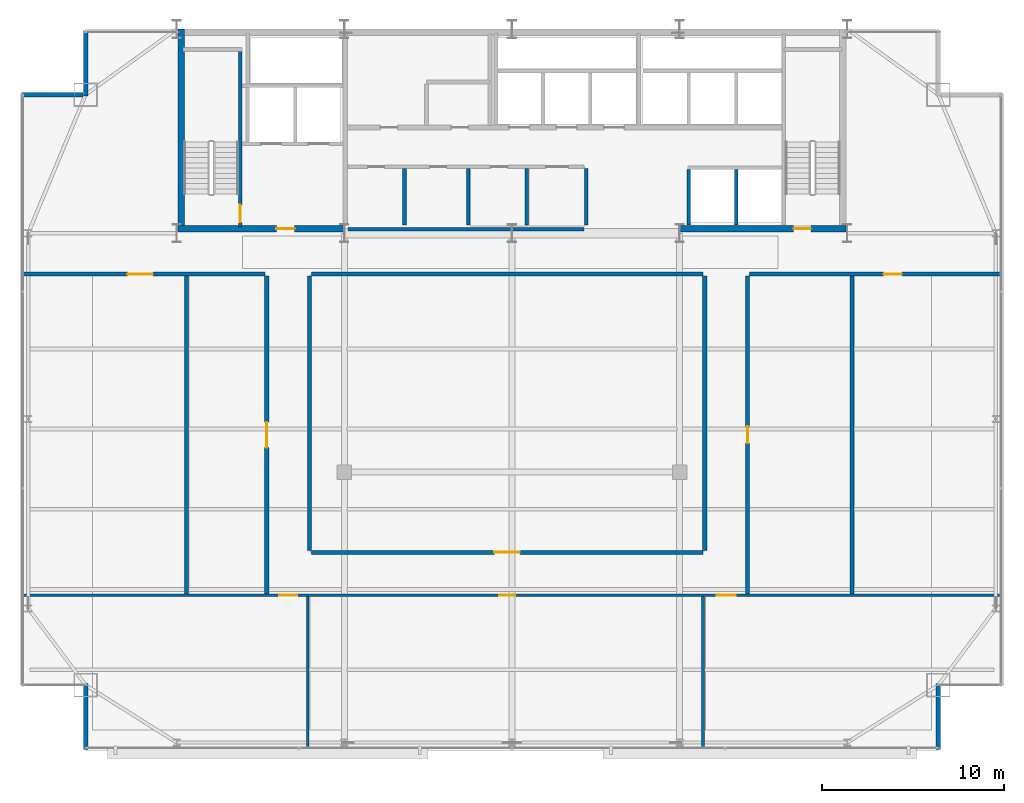
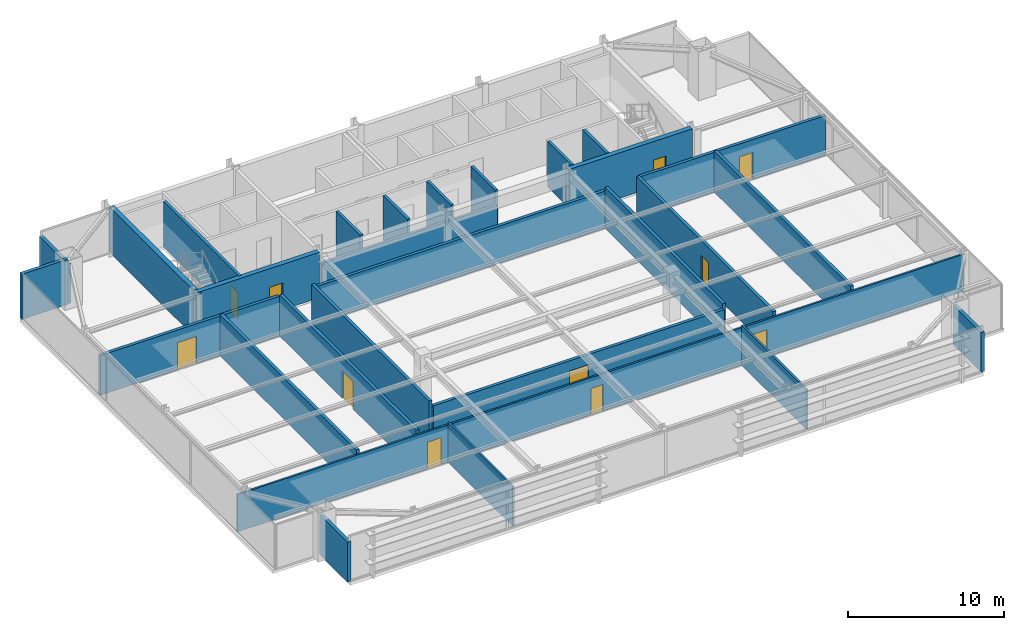
# One storey, part 25 of 29: 28 walls, 11 doors, 11 openings.
"""IFC4 building model written with IfcOpenShell, lengths in metres."""

from ifc_helpers import new_model, si_unit, direction, frame, frame_2d, origin, place, context, subcontext, project, spatial, rectangle, extrude, source, transform, mapped, material, layer, layer_set, type_object, type_shapes, element, fill, save


model = new_model("IFC4")

# Units and contexts
model_context = context("Model", 3, precision=1e-05, world=origin(), true_north=direction((0.0, 1.0)))
body_context = subcontext(model_context, "Body", "Model", "MODEL_VIEW")
ifc_project = project(units=[si_unit("LENGTHUNIT", "METRE"), si_unit("AREAUNIT", "SQUARE_METRE"), si_unit("VOLUMEUNIT", "CUBIC_METRE"), si_unit("PLANEANGLEUNIT", "RADIAN"), si_unit("MASSUNIT", "GRAM", prefix="KILO")], contexts=[model_context])

# Site, building, storey
site_placement = place(None, origin())
site = spatial("IfcSite", under=ifc_project, at=site_placement, CompositionType="ELEMENT")
building_placement = place(site_placement, origin())
building = spatial("IfcBuilding", under=site, at=building_placement, Name="Varnel Quay Broadcast Tower", CompositionType="ELEMENT")
storey_placement = place(building_placement, frame((0.0, 0.0, 172.39990234375)))
storey = spatial("IfcBuildingStorey", under=building, at=storey_placement, Name="L42", CompositionType="ELEMENT", Elevation=172.39990234375)

# Wall, opening, door
ifc_material_1 = material(Name="Concrete CSA A23.3 C50/60", Category="concrete")
ifc_layer_1 = layer(ifc_material_1, 0.199951171875, Name="Concrete CSA A23.3 C50/60")
ifc_layer_set_1 = layer_set([ifc_layer_1], Name="Concrete CSA A23.3 C50/60")
wall_type_1 = type_object("IfcWallType", Name="Wall_CoreShaftShear200", PredefinedType="SHEAR", material=ifc_layer_set_1)
wall_1_placement = place(storey_placement, frame((19.080078125, 35.949951171875, 0.0), z_axis=(0.0, 0.0, 1.0), x_axis=(0.0, 1.0, 0.0)))
wall_1 = element("IfcWall", 1, at=wall_1_placement, inside=storey, type_object=wall_type_1, Name="L42 Stair 1 East Structural Wall", PredefinedType="SHEAR", context=body_context, shape_type="SweptSolid", body=[
    extrude(rectangle(XDim=9.650146484375, YDim=0.199951171875, at=frame_2d((4.8251953125, 0.0))), origin(), (0.0, 0.0, 1.0), 3.550048828125),
])
opening_1_placement = place(wall_1_placement, frame((0.25, 0.0, 0.0)))
opening_1 = element("IfcOpeningElement", 2, at=opening_1_placement, cuts=wall_1, Name="Opening D-L42-S1", PredefinedType="OPENING", context=body_context, shape_type="SweptSolid", body=[
    extrude(rectangle(XDim=0.949951171875, YDim=2.10009765625, at=frame_2d((0.47509765625, 1.050048828125))), frame((0.0, 0.10986328125, 0.0), z_axis=(0.0, -1.0, 0.0), x_axis=(1.0, 0.0, 0.0)), (0.0, 0.0, 1.0), 0.219970703125),
])
ifc_material_2 = material(Name="Insulated Fire-Rated Hollow Steel Door", Category="steel")
door_type_1 = type_object("IfcDoorType", Name="Door_FireStair950", OperationType="NOTDEFINED", PredefinedType="DOOR", material=ifc_material_2)
shared_shape_1 = source(origin(), body_context, "Body", "SweptSolid", [
    extrude(rectangle(XDim=0.949951171875, YDim=2.10009765625, at=frame_2d((0.47509765625, 1.050048828125))), frame((0.0, 0.02490234375, 0.0), z_axis=(0.0, -1.0, 0.0), x_axis=(1.0, 0.0, 0.0)), (0.0, 0.0, 1.0), 0.050048828125),
])
type_shapes(door_type_1, [shared_shape_1])
door_1_placement = place(opening_1_placement, origin())
door_1 = element("IfcDoor", 3, at=door_1_placement, inside=storey, type_object=door_type_1, Name="L42 Stair 1 Fire Door", OperationType="SINGLE_SWING_RIGHT", OverallHeight=2.10009765625, OverallWidth=0.949951171875, PredefinedType="DOOR", context=body_context, shape_type="MappedRepresentation", body=[
    mapped(shared_shape_1, transform((0.0, 0.0, 0.0), x_axis=(1.0, 0.0, 0.0), y_axis=(0.0, 1.0, 0.0), z_axis=(0.0, 0.0, 1.0), scale=1.0)),
])
fill(opening_1, door_1)

# Walls
for number, where, z_axis, x_axis, name in (
    (4, (43.699951171875, 36.050048828125, 0.0), (0.0, 0.0, 1.0), (0.0, 1.0, 0.0), "L42 Express Lift Shaft West Wall"),
    (5, (46.300048828125, 36.050048828125, 0.0), (0.0, 0.0, 1.0), (0.0, 1.0, 0.0), "L42 Express Lift Shaft Divider"),
):
    element("IfcWall", number, at=place(storey_placement, frame(where, z_axis=z_axis, x_axis=x_axis)), inside=storey, type_object=wall_type_1, Name=name, PredefinedType="SHEAR", context=body_context, shape_type="SweptSolid", body=[
        extrude(rectangle(XDim=3.050048828125, YDim=0.199951171875, at=frame_2d((1.52490234375, 0.0))), origin(), (0.0, 0.0, 1.0), 3.550048828125),
    ])
ifc_layer_2 = layer(ifc_material_1, 0.35009765625, Name="Concrete CSA A23.3 C50/60")
ifc_layer_set_2 = layer_set([ifc_layer_2], Name="Concrete CSA A23.3 C50/60")
wall_type_2 = type_object("IfcWallType", Name="Wall_CoreShearInt350", PredefinedType="SHEAR", material=ifc_layer_set_2)
wall_2_placement = place(storey_placement, frame((15.844970703125, 35.669921875, 0.0), z_axis=(0.0, 0.0, 1.0), x_axis=(0.0, 1.0, 0.0)))
element("IfcWall", 6, at=wall_2_placement, inside=storey, type_object=wall_type_2, Name="L42 West Core Shear Wall", PredefinedType="SHEAR", context=body_context, shape_type="SweptSolid", body=[
    extrude(rectangle(XDim=11.130126953125, YDim=0.35009765625, at=frame_2d((5.56494140625, 0.0))), origin(), (0.0, 0.0, 1.0), 3.550048828125),
])

# Wall, opening, door
wall_3_placement = place(storey_placement, frame((15.669921875, 35.844970703125, 0.0), z_axis=(0.0, 0.0, 1.0), x_axis=(1.0, 0.0, 0.0)))
wall_3 = element("IfcWall", 7, at=wall_3_placement, inside=storey, type_object=wall_type_2, Name="L42 South-West Core Shear Wall", PredefinedType="SHEAR", context=body_context, shape_type="SweptSolid", body=[
    extrude(rectangle(XDim=9.130126953125, YDim=0.35009765625, at=frame_2d((4.56494140625, 0.0))), origin(), (0.0, 0.0, 1.0), 3.550048828125),
])
opening_2_placement = place(wall_3_placement, frame((5.39990234375, 0.0, 0.0)))
opening_2 = element("IfcOpeningElement", 8, at=opening_2_placement, cuts=wall_3, Name="Opening D-L42-FFL", PredefinedType="OPENING", context=body_context, shape_type="SweptSolid", body=[
    extrude(rectangle(XDim=1.0, YDim=2.10009765625, at=frame_2d((0.5, 1.050048828125))), frame((0.0, 0.18505859375, 0.0), z_axis=(0.0, -1.0, 0.0), x_axis=(1.0, 0.0, 0.0)), (0.0, 0.0, 1.0), 0.3701171875),
])
door_type_2 = type_object("IfcDoorType", Name="Door_FireLobby1000", OperationType="NOTDEFINED", PredefinedType="DOOR", material=ifc_material_2)
shared_shape_2 = source(origin(), body_context, "Body", "SweptSolid", [
    extrude(rectangle(XDim=1.0, YDim=2.10009765625, at=frame_2d((0.5, 1.050048828125))), frame((0.0, 0.02490234375, 0.0), z_axis=(0.0, -1.0, 0.0), x_axis=(1.0, 0.0, 0.0)), (0.0, 0.0, 1.0), 0.050048828125),
])
type_shapes(door_type_2, [shared_shape_2])
door_2_placement = place(opening_2_placement, origin())
door_2 = element("IfcDoor", 9, at=door_2_placement, inside=storey, type_object=door_type_2, Name="L42 Firefighting Lobby Door", OperationType="SINGLE_SWING_LEFT", OverallHeight=2.10009765625, OverallWidth=1.0, PredefinedType="DOOR", context=body_context, shape_type="MappedRepresentation", body=[
    mapped(shared_shape_2, transform((0.0, 0.0, 0.0), x_axis=(1.0, 0.0, 0.0), y_axis=(0.0, 1.0, 0.0), z_axis=(0.0, 0.0, 1.0), scale=1.0)),
])
fill(opening_2, door_2)

wall_4_placement = place(storey_placement, frame((43.199951171875, 35.844970703125, 0.0), z_axis=(0.0, 0.0, 1.0), x_axis=(1.0, 0.0, 0.0)))
wall_4 = element("IfcWall", 10, at=wall_4_placement, inside=storey, type_object=wall_type_2, Name="L42 South-East Core Shear Wall", PredefinedType="SHEAR", context=body_context, shape_type="SweptSolid", body=[
    extrude(rectangle(XDim=9.130126953125, YDim=0.35009765625, at=frame_2d((4.56494140625, 0.0))), origin(), (0.0, 0.0, 1.0), 3.550048828125),
])
opening_3_placement = place(wall_4_placement, frame((6.25, 0.0, 0.0)))
opening_3 = element("IfcOpeningElement", 11, at=opening_3_placement, cuts=wall_4, Name="Opening D-L42-S2", PredefinedType="OPENING", context=body_context, shape_type="SweptSolid", body=[
    extrude(rectangle(XDim=0.949951171875, YDim=2.10009765625, at=frame_2d((0.47509765625, 1.050048828125))), frame((0.0, 0.18505859375, 0.0), z_axis=(0.0, -1.0, 0.0), x_axis=(1.0, 0.0, 0.0)), (0.0, 0.0, 1.0), 0.3701171875),
])
door_3_placement = place(opening_3_placement, origin())
door_3 = element("IfcDoor", 12, at=door_3_placement, inside=storey, type_object=door_type_1, Name="L42 Stair 2 Fire Door", OperationType="SINGLE_SWING_RIGHT", OverallHeight=2.10009765625, OverallWidth=0.949951171875, PredefinedType="DOOR", context=body_context, shape_type="MappedRepresentation", body=[
    mapped(shared_shape_1, transform((0.0, 0.0, 0.0), x_axis=(1.0, 0.0, 0.0), y_axis=(0.0, 1.0, 0.0), z_axis=(0.0, 0.0, 1.0), scale=1.0)),
])
fill(opening_3, door_3)

# Walls
ifc_material_3 = material(Name="Precast Architectural Concrete C40/50", Category="concrete")
ifc_layer_3 = layer(ifc_material_3, 0.25, Name="Precast Architectural Concrete C40/50")
ifc_layer_set_3 = layer_set([ifc_layer_3], Name="Precast Architectural Concrete C40/50")
wall_type_3 = type_object("IfcWallType", Name="Wall_ExtTerrace250", PredefinedType="SOLIDWALL", material=ifc_layer_set_3)
for number, where, z_axis, x_axis, name in (
    (13, (10.60009765625, 7.280029296875, 0.0), (0.0, 0.0, 1.0), (0.0, 1.0, 0.0), "L42 Mega-Column Notch Cladding Wall NSW2"),
    (14, (57.39990234375, 7.280029296875, 0.0), (0.0, 0.0, 1.0), (0.0, 1.0, 0.0), "L42 Mega-Column Notch Cladding Wall NSE2"),
):
    element("IfcWall", number, at=place(storey_placement, frame(where, z_axis=z_axis, x_axis=x_axis)), inside=storey, type_object=wall_type_3, Name=name, PredefinedType="SOLIDWALL", context=body_context, shape_type="SweptSolid", body=[
        extrude(rectangle(XDim=3.599853515625, YDim=0.25, at=frame_2d((1.7998046875, 0.0))), origin(), (0.0, 0.0, 1.0), 3.108154296875),
    ])
wall_5_placement = place(storey_placement, frame((7.080078125, 43.199951171875, 0.0), z_axis=(0.0, 0.0, 1.0), x_axis=(1.0, 0.0, 0.0)))
element("IfcWall", 15, at=wall_5_placement, inside=storey, type_object=wall_type_3, Name="L42 Mega-Column Notch Cladding Wall NNW1", PredefinedType="SOLIDWALL", context=body_context, shape_type="SweptSolid", body=[
    extrude(rectangle(XDim=3.389892578125, YDim=0.25, at=frame_2d((1.69482421875, 0.0))), origin(), (0.0, 0.0, 1.0), 3.530029296875),
])
wall_6_placement = place(storey_placement, frame((10.60009765625, 43.1201171875, 0.0), z_axis=(0.0, 0.0, 1.0), x_axis=(0.0, 1.0, 0.0)))
element("IfcWall", 16, at=wall_6_placement, inside=storey, type_object=wall_type_3, Name="L42 Mega-Column Notch Cladding Wall NNW2", PredefinedType="SOLIDWALL", context=body_context, shape_type="SweptSolid", body=[
    extrude(rectangle(XDim=3.599853515625, YDim=0.25, at=frame_2d((1.7998046875, 0.0))), origin(), (0.0, 0.0, 1.0), 3.108154296875),
])
ifc_material_4 = material(Name="Concrete Blockwork Fire Enclosure C40/50", Category="masonry")
ifc_layer_4 = layer(ifc_material_4, 0.199951171875, Name="Concrete Blockwork Fire Enclosure C40/50")
ifc_layer_set_4 = layer_set([ifc_layer_4], Name="Concrete Blockwork Fire Enclosure C40/50")
wall_type_4 = type_object("IfcWallType", Name="Wall_FireShaft200", PredefinedType="SOLIDWALL", material=ifc_layer_set_4)
wall_7_placement = place(storey_placement, frame((25.0, 35.824951171875, 0.0), z_axis=(0.0, 0.0, 1.0), x_axis=(1.0, 0.0, 0.0)))
element("IfcWall", 17, at=wall_7_placement, inside=storey, type_object=wall_type_4, Name="L42 Accessible Universal Washroom Partition 1", PredefinedType="SOLIDWALL", context=body_context, shape_type="SweptSolid", body=[
    extrude(rectangle(XDim=12.949951171875, YDim=0.199951171875, at=frame_2d((6.47509765625, 0.0))), origin(), (0.0, 0.0, 1.0), 2.5751953125),
])
for number, where, z_axis, x_axis, name in (
    (18, (34.800048828125, 36.050048828125, 0.0), (0.0, 0.0, 1.0), (0.0, 1.0, 0.0), "L42 Broadcast First-Aid & Quiet Room Partition 5"),
    (19, (38.074951171875, 36.050048828125, 0.0), (0.0, 0.0, 1.0), (0.0, 1.0, 0.0), "L42 Zone Lighting Dimmer Room Partition 6"),
):
    element("IfcWall", number, at=place(storey_placement, frame(where, z_axis=z_axis, x_axis=x_axis)), inside=storey, type_object=wall_type_4, Name=name, PredefinedType="SOLIDWALL", context=body_context, shape_type="SweptSolid", body=[
        extrude(rectangle(XDim=3.099853515625, YDim=0.199951171875, at=frame_2d((1.5498046875, 0.0))), origin(), (0.0, 0.0, 1.0), 3.530029296875),
    ])
ifc_material_5 = material(Name="Steel-Stud Fire-Rated Acoustic Gypsum Partition Assembly", Category="steel")
ifc_layer_5 = layer(ifc_material_5, 0.139892578125, Name="Steel-Stud Fire-Rated Acoustic Gypsum Partition Assembly")
ifc_layer_set_5 = layer_set([ifc_layer_5], Name="Steel-Stud Fire-Rated Acoustic Gypsum Partition Assembly")
wall_type_5 = type_object("IfcWallType", Name="Wall_Partition140", PredefinedType="PARTITIONING", material=ifc_layer_set_5)
wall_8_placement = place(storey_placement, frame((22.7900390625, 7.3798828125, 0.0), z_axis=(0.0, 0.0, 1.0), x_axis=(0.0, 1.0, 0.0)))
element("IfcWall", 20, at=wall_8_placement, inside=storey, type_object=wall_type_5, Name="L42 Talent Lounge 1 Partition 7", PredefinedType="PARTITIONING", context=body_context, shape_type="SweptSolid", body=[
    extrude(rectangle(XDim=8.280029296875, YDim=0.139892578125, at=frame_2d((4.14013671875, 0.0))), origin(), (0.0, 0.0, 1.0), 3.108154296875),
])

# Wall, openings, doors
wall_9_placement = place(storey_placement, frame((7.179931640625, 15.72998046875, 0.0), z_axis=(0.0, 0.0, 1.0), x_axis=(1.0, 0.0, 0.0)))
wall_9 = element("IfcWall", 21, at=wall_9_placement, inside=storey, type_object=wall_type_5, Name="L42 Talent Lounge 1 Partition 8", PredefinedType="PARTITIONING", context=body_context, shape_type="SweptSolid", body=[
    extrude(rectangle(XDim=53.64013671875, YDim=0.139892578125, at=frame_2d((26.820068359375, 0.0))), origin(), (0.0, 0.0, 1.0), 2.9091796875),
])
opening_4_placement = place(wall_9_placement, frame((14.034912109375, 0.0, 0.0)))
opening_4 = element("IfcOpeningElement", 22, at=opening_4_placement, cuts=wall_9, Name="Opening D-L42-05", PredefinedType="OPENING", context=body_context, shape_type="SweptSolid", body=[
    extrude(rectangle(XDim=1.0, YDim=2.10009765625, at=frame_2d((0.5, 1.050048828125))), frame((0.0, 0.080078125, 0.0), z_axis=(0.0, -1.0, 0.0), x_axis=(1.0, 0.0, 0.0)), (0.0, 0.0, 1.0), 0.159912109375),
])
opening_5_placement = place(wall_9_placement, frame((26.114990234375, 0.0, 0.0)))
opening_5 = element("IfcOpeningElement", 23, at=opening_5_placement, cuts=wall_9, Name="Opening D-L42-06", PredefinedType="OPENING", context=body_context, shape_type="SweptSolid", body=[
    extrude(rectangle(XDim=0.8798828125, YDim=2.06005859375, at=frame_2d((0.43994140625, 1.030029296875))), frame((0.0, 0.080078125, 0.0), z_axis=(0.0, -1.0, 0.0), x_axis=(1.0, 0.0, 0.0)), (0.0, 0.0, 1.0), 0.159912109375),
])
opening_6_placement = place(wall_9_placement, frame((38.050048828125, 0.0, 0.0)))
opening_6 = element("IfcOpeningElement", 24, at=opening_6_placement, cuts=wall_9, Name="Opening D-L42-07", PredefinedType="OPENING", context=body_context, shape_type="SweptSolid", body=[
    extrude(rectangle(XDim=1.050048828125, YDim=2.10009765625, at=frame_2d((0.52490234375, 1.050048828125))), frame((0.0, 0.080078125, 0.0), z_axis=(0.0, -1.0, 0.0), x_axis=(1.0, 0.0, 0.0)), (0.0, 0.0, 1.0), 0.159912109375),
])
ifc_material_6 = material(Name="Solid-Core Fire-Rated Acoustic Oak Veneer Door", Category="wood")
door_type_3 = type_object("IfcDoorType", Name="Door_Booth880", OperationType="NOTDEFINED", PredefinedType="DOOR", material=ifc_material_6)
shared_shape_3 = source(origin(), body_context, "Body", "SweptSolid", [
    extrude(rectangle(XDim=0.8798828125, YDim=2.06005859375, at=frame_2d((0.43994140625, 1.030029296875))), frame((0.0, 0.02490234375, 0.0), z_axis=(0.0, -1.0, 0.0), x_axis=(1.0, 0.0, 0.0)), (0.0, 0.0, 1.0), 0.050048828125),
])
type_shapes(door_type_3, [shared_shape_3])
door_4_placement = place(opening_5_placement, frame((0.8798828125, 0.0, 0.0), z_axis=(0.0, 0.0, 1.0), x_axis=(-1.0, 0.0, 0.0)))
door_4 = element("IfcDoor", 25, at=door_4_placement, inside=storey, type_object=door_type_3, Name="L42 Pantry Niche 2 Door D-L42-06", OperationType="SINGLE_SWING_RIGHT", OverallHeight=2.06005859375, OverallWidth=0.8798828125, PredefinedType="DOOR", context=body_context, shape_type="MappedRepresentation", body=[
    mapped(shared_shape_3, transform((0.0, 0.0, 0.0), x_axis=(1.0, 0.0, 0.0), y_axis=(0.0, 1.0, 0.0), z_axis=(0.0, 0.0, 1.0), scale=1.0)),
])
fill(opening_5, door_4)
door_type_4 = type_object("IfcDoorType", Name="Door_Exec1000", OperationType="NOTDEFINED", PredefinedType="DOOR", material=ifc_material_6)
shared_shape_4 = source(origin(), body_context, "Body", "SweptSolid", [
    extrude(rectangle(XDim=1.0, YDim=2.10009765625, at=frame_2d((0.5, 1.050048828125))), frame((0.0, 0.02490234375, 0.0), z_axis=(0.0, -1.0, 0.0), x_axis=(1.0, 0.0, 0.0)), (0.0, 0.0, 1.0), 0.050048828125),
])
type_shapes(door_type_4, [shared_shape_4])
door_5_placement = place(opening_4_placement, frame((1.0, 0.0, 0.0), z_axis=(0.0, 0.0, 1.0), x_axis=(-1.0, 0.0, 0.0)))
door_5 = element("IfcDoor", 26, at=door_5_placement, inside=storey, type_object=door_type_4, Name="L42 Talent Lounge 1 Door D-L42-05", OperationType="SINGLE_SWING_LEFT", OverallHeight=2.10009765625, OverallWidth=1.0, PredefinedType="DOOR", context=body_context, shape_type="MappedRepresentation", body=[
    mapped(shared_shape_4, transform((0.0, 0.0, 0.0), x_axis=(1.0, 0.0, 0.0), y_axis=(0.0, 1.0, 0.0), z_axis=(0.0, 0.0, 1.0), scale=1.0)),
])
fill(opening_4, door_5)
door_type_5 = type_object("IfcDoorType", Name="Door_Meeting1050", OperationType="NOTDEFINED", PredefinedType="DOOR", material=ifc_material_6)
shared_shape_5 = source(origin(), body_context, "Body", "SweptSolid", [
    extrude(rectangle(XDim=1.050048828125, YDim=2.10009765625, at=frame_2d((0.52490234375, 1.050048828125))), frame((0.0, 0.02490234375, 0.0), z_axis=(0.0, -1.0, 0.0), x_axis=(1.0, 0.0, 0.0)), (0.0, 0.0, 1.0), 0.050048828125),
])
type_shapes(door_type_5, [shared_shape_5])
door_6_placement = place(opening_6_placement, frame((1.050048828125, 0.0, 0.0), z_axis=(0.0, 0.0, 1.0), x_axis=(-1.0, 0.0, 0.0)))
door_6 = element("IfcDoor", 27, at=door_6_placement, inside=storey, type_object=door_type_5, Name="L42 Broadcast Seminar Room 3 Door D-L42-07", OperationType="SINGLE_SWING_LEFT", OverallHeight=2.10009765625, OverallWidth=1.050048828125, PredefinedType="DOOR", context=body_context, shape_type="MappedRepresentation", body=[
    mapped(shared_shape_5, transform((0.0, 0.0, 0.0), x_axis=(1.0, 0.0, 0.0), y_axis=(0.0, 1.0, 0.0), z_axis=(0.0, 0.0, 1.0), scale=1.0)),
])
fill(opening_6, door_6)

# Walls
ifc_layer_6 = layer(ifc_material_5, 0.14990234375, Name="Steel-Stud Fire-Rated Acoustic Gypsum Partition Assembly")
ifc_layer_set_6 = layer_set([ifc_layer_6], Name="Steel-Stud Fire-Rated Acoustic Gypsum Partition Assembly")
wall_type_6 = type_object("IfcWallType", Name="Wall_Partition150", PredefinedType="PARTITIONING", material=ifc_layer_set_6)
wall_10_placement = place(storey_placement, frame((44.47998046875, 7.3798828125, 0.0), z_axis=(0.0, 0.0, 1.0), x_axis=(0.0, 1.0, 0.0)))
element("IfcWall", 28, at=wall_10_placement, inside=storey, type_object=wall_type_6, Name="L42 Pantry Niche 2 Partition 9", PredefinedType="PARTITIONING", context=body_context, shape_type="SweptSolid", body=[
    extrude(rectangle(XDim=8.280029296875, YDim=0.14990234375, at=frame_2d((4.14013671875, 0.0))), origin(), (0.0, 0.0, 1.0), 3.108154296875),
])
ifc_layer_7 = layer(ifc_material_5, 0.22509765625, Name="Steel-Stud Fire-Rated Acoustic Gypsum Partition Assembly")
ifc_layer_set_7 = layer_set([ifc_layer_7], Name="Steel-Stud Fire-Rated Acoustic Gypsum Partition Assembly")
wall_type_7 = type_object("IfcWallType", Name="Wall_Partition225", PredefinedType="PARTITIONING", material=ifc_layer_set_7)
wall_11_placement = place(storey_placement, frame((16.139892578125, 15.800048828125, 0.0), z_axis=(0.0, 0.0, 1.0), x_axis=(0.0, 1.0, 0.0)))
element("IfcWall", 29, at=wall_11_placement, inside=storey, type_object=wall_type_7, Name="L42 Podcast Recording Studio 4 Partition 10", PredefinedType="PARTITIONING", context=body_context, shape_type="SweptSolid", body=[
    extrude(rectangle(XDim=17.43798828125, YDim=0.22509765625, at=frame_2d((8.718994140625, 0.0))), origin(), (0.0, 0.0, 1.0), 3.22216796875),
])

# Wall, opening, door
wall_12_placement = place(storey_placement, frame((7.179931640625, 33.35009765625, 0.0), z_axis=(0.0, 0.0, 1.0), x_axis=(1.0, 0.0, 0.0)))
wall_12 = element("IfcWall", 30, at=wall_12_placement, inside=storey, type_object=wall_type_7, Name="L42 Podcast Recording Studio 4 Partition 11", PredefinedType="PARTITIONING", context=body_context, shape_type="SweptSolid", body=[
    extrude(rectangle(XDim=13.260009765625, YDim=0.22509765625, at=frame_2d((6.6298828125, 0.0))), origin(), (0.0, 0.0, 1.0), 3.108154296875),
])
opening_7_placement = place(wall_12_placement, frame((5.715087890625, 0.0, 0.0)))
opening_7 = element("IfcOpeningElement", 31, at=opening_7_placement, cuts=wall_12, Name="Opening D-L42-08", PredefinedType="OPENING", context=body_context, shape_type="SweptSolid", body=[
    extrude(rectangle(XDim=1.39990234375, YDim=2.1201171875, at=frame_2d((0.699951171875, 1.06005859375))), frame((0.0, 0.12255859375, 0.0), z_axis=(0.0, -1.0, 0.0), x_axis=(1.0, 0.0, 0.0)), (0.0, 0.0, 1.0), 0.2451171875),
])
door_type_6 = type_object("IfcDoorType", Name="Door_Gallery1400", OperationType="DOUBLE_DOOR_SINGLE_SWING", PredefinedType="DOOR", material=ifc_material_6)
shared_shape_6 = source(origin(), body_context, "Body", "SweptSolid", [
    extrude(rectangle(XDim=1.39990234375, YDim=2.1201171875, at=frame_2d((0.699951171875, 1.06005859375))), frame((0.0, 0.02490234375, 0.0), z_axis=(0.0, -1.0, 0.0), x_axis=(1.0, 0.0, 0.0)), (0.0, 0.0, 1.0), 0.050048828125),
])
type_shapes(door_type_6, [shared_shape_6])
door_7_placement = place(opening_7_placement, frame((1.39990234375, 0.0, 0.0), z_axis=(0.0, 0.0, 1.0), x_axis=(-1.0, 0.0, 0.0)))
door_7 = element("IfcDoor", 32, at=door_7_placement, inside=storey, type_object=door_type_6, Name="L42 Podcast Recording Studio 4 Door D-L42-08", OperationType="DOUBLE_DOOR_SINGLE_SWING", OverallHeight=2.1201171875, OverallWidth=1.39990234375, PredefinedType="DOOR", context=body_context, shape_type="MappedRepresentation", body=[
    mapped(shared_shape_6, transform((0.0, 0.0, 0.0), x_axis=(1.0, 0.0, 0.0), y_axis=(0.0, 1.0, 0.0), z_axis=(0.0, 0.0, 1.0), scale=1.0)),
])
fill(opening_7, door_7)

wall_13_placement = place(storey_placement, frame((20.5400390625, 15.800048828125, 0.0), z_axis=(0.0, 0.0, 1.0), x_axis=(0.0, 1.0, 0.0)))
wall_13 = element("IfcWall", 33, at=wall_13_placement, inside=storey, type_object=wall_type_7, Name="L42 Foley Sound Studio 5 Partition 12", PredefinedType="PARTITIONING", context=body_context, shape_type="SweptSolid", body=[
    extrude(rectangle(XDim=17.43798828125, YDim=0.22509765625, at=frame_2d((8.718994140625, 0.0))), origin(), (0.0, 0.0, 1.0), 3.22216796875),
])
opening_8_placement = place(wall_13_placement, frame((8.033935546875, 0.0, 0.0)))
opening_8 = element("IfcOpeningElement", 34, at=opening_8_placement, cuts=wall_13, Name="Opening D-L42-09", PredefinedType="OPENING", context=body_context, shape_type="SweptSolid", body=[
    extrude(rectangle(XDim=1.39990234375, YDim=2.1201171875, at=frame_2d((0.699951171875, 1.06005859375))), frame((0.0, 0.12255859375, 0.0), z_axis=(0.0, -1.0, 0.0), x_axis=(1.0, 0.0, 0.0)), (0.0, 0.0, 1.0), 0.2451171875),
])
door_8_placement = place(opening_8_placement, origin())
door_8 = element("IfcDoor", 35, at=door_8_placement, inside=storey, type_object=door_type_6, Name="L42 Foley Sound Studio 5 Door D-L42-09", OperationType="DOUBLE_DOOR_SINGLE_SWING", OverallHeight=2.1201171875, OverallWidth=1.39990234375, PredefinedType="DOOR", context=body_context, shape_type="MappedRepresentation", body=[
    mapped(shared_shape_6, transform((0.0, 0.0, 0.0), x_axis=(1.0, 0.0, 0.0), y_axis=(0.0, 1.0, 0.0), z_axis=(0.0, 0.0, 1.0), scale=1.0)),
])
fill(opening_8, door_8)

wall_14_placement = place(storey_placement, frame((22.989990234375, 18.080078125, 0.0), z_axis=(0.0, 0.0, 1.0), x_axis=(1.0, 0.0, 0.0)))
wall_14 = element("IfcWall", 36, at=wall_14_placement, inside=storey, type_object=wall_type_7, Name="L42 Voice Booth 6 Partition 13", PredefinedType="PARTITIONING", context=body_context, shape_type="SweptSolid", body=[
    extrude(rectangle(XDim=21.489990234375, YDim=0.22509765625, at=frame_2d((10.7451171875, 0.0))), origin(), (0.0, 0.0, 1.0), 2.9091796875),
])
opening_9_placement = place(wall_14_placement, frame((10.044921875, 0.0, 0.0)))
opening_9 = element("IfcOpeningElement", 37, at=opening_9_placement, cuts=wall_14, Name="Opening D-L42-10", PredefinedType="OPENING", context=body_context, shape_type="SweptSolid", body=[
    extrude(rectangle(XDim=1.39990234375, YDim=2.1201171875, at=frame_2d((0.699951171875, 1.06005859375))), frame((0.0, 0.12255859375, 0.0), z_axis=(0.0, -1.0, 0.0), x_axis=(1.0, 0.0, 0.0)), (0.0, 0.0, 1.0), 0.2451171875),
])
door_9_placement = place(opening_9_placement, origin())
door_9 = element("IfcDoor", 38, at=door_9_placement, inside=storey, type_object=door_type_6, Name="L42 Voice Booth 6 Door D-L42-10", OperationType="DOUBLE_DOOR_SINGLE_SWING", OverallHeight=2.1201171875, OverallWidth=1.39990234375, PredefinedType="DOOR", context=body_context, shape_type="MappedRepresentation", body=[
    mapped(shared_shape_6, transform((0.0, 0.0, 0.0), x_axis=(1.0, 0.0, 0.0), y_axis=(0.0, 1.0, 0.0), z_axis=(0.0, 0.0, 1.0), scale=1.0)),
])
fill(opening_9, door_9)

# Walls
wall_15_placement = place(storey_placement, frame((44.580078125, 18.19189453125, 0.0), z_axis=(0.0, 0.0, 1.0), x_axis=(0.0, 1.0, 0.0)))
element("IfcWall", 39, at=wall_15_placement, inside=storey, type_object=wall_type_7, Name="L42 Voice Booth 6 Partition 14", PredefinedType="PARTITIONING", context=body_context, shape_type="SweptSolid", body=[
    extrude(rectangle(XDim=15.046142578125, YDim=0.22509765625, at=frame_2d((7.52294921875, 0.0))), origin(), (0.0, 0.0, 1.0), 3.22216796875),
])
wall_16_placement = place(storey_placement, frame((22.989990234375, 33.35009765625, 0.0), z_axis=(0.0, 0.0, 1.0), x_axis=(1.0, 0.0, 0.0)))
element("IfcWall", 40, at=wall_16_placement, inside=storey, type_object=wall_type_7, Name="L42 Voice Booth 6 Partition 15", PredefinedType="PARTITIONING", context=body_context, shape_type="SweptSolid", body=[
    extrude(rectangle(XDim=21.489990234375, YDim=0.22509765625, at=frame_2d((10.7451171875, 0.0))), origin(), (0.0, 0.0, 1.0), 2.9091796875),
])
wall_17_placement = place(storey_placement, frame((22.889892578125, 18.19189453125, 0.0), z_axis=(0.0, 0.0, 1.0), x_axis=(0.0, 1.0, 0.0)))
element("IfcWall", 41, at=wall_17_placement, inside=storey, type_object=wall_type_7, Name="L42 Voice Booth 6 Partition 16", PredefinedType="PARTITIONING", context=body_context, shape_type="SweptSolid", body=[
    extrude(rectangle(XDim=15.046142578125, YDim=0.22509765625, at=frame_2d((7.52294921875, 0.0))), origin(), (0.0, 0.0, 1.0), 3.22216796875),
])
wall_18_placement = place(storey_placement, frame((52.64990234375, 15.800048828125, 0.0), z_axis=(0.0, 0.0, 1.0), x_axis=(0.0, 1.0, 0.0)))
element("IfcWall", 42, at=wall_18_placement, inside=storey, type_object=wall_type_7, Name="L42 Audio Control Room 7 Partition 17", PredefinedType="PARTITIONING", context=body_context, shape_type="SweptSolid", body=[
    extrude(rectangle(XDim=17.43798828125, YDim=0.22509765625, at=frame_2d((8.718994140625, 0.0))), origin(), (0.0, 0.0, 1.0), 3.22216796875),
])

# Wall, opening, door
wall_19_placement = place(storey_placement, frame((47.030029296875, 33.35009765625, 0.0), z_axis=(0.0, 0.0, 1.0), x_axis=(1.0, 0.0, 0.0)))
wall_19 = element("IfcWall", 43, at=wall_19_placement, inside=storey, type_object=wall_type_7, Name="L42 Audio Control Room 7 Partition 18", PredefinedType="PARTITIONING", context=body_context, shape_type="SweptSolid", body=[
    extrude(rectangle(XDim=13.7900390625, YDim=0.22509765625, at=frame_2d((6.89501953125, 0.0))), origin(), (0.0, 0.0, 1.0), 3.108154296875),
])
opening_10_placement = place(wall_19_placement, frame((7.3701171875, 0.0, 0.0)))
opening_10 = element("IfcOpeningElement", 44, at=opening_10_placement, cuts=wall_19, Name="Opening D-L42-12", PredefinedType="OPENING", context=body_context, shape_type="SweptSolid", body=[
    extrude(rectangle(XDim=1.0, YDim=2.10009765625, at=frame_2d((0.5, 1.050048828125))), frame((0.0, 0.12255859375, 0.0), z_axis=(0.0, -1.0, 0.0), x_axis=(1.0, 0.0, 0.0)), (0.0, 0.0, 1.0), 0.2451171875),
])
door_10_placement = place(opening_10_placement, frame((1.0, 0.0, 0.0), z_axis=(0.0, 0.0, 1.0), x_axis=(-1.0, 0.0, 0.0)))
door_10 = element("IfcDoor", 45, at=door_10_placement, inside=storey, type_object=door_type_4, Name="L42 Talent Lounge 8 Door D-L42-12", OperationType="SINGLE_SWING_LEFT", OverallHeight=2.10009765625, OverallWidth=1.0, PredefinedType="DOOR", context=body_context, shape_type="MappedRepresentation", body=[
    mapped(shared_shape_4, transform((0.0, 0.0, 0.0), x_axis=(1.0, 0.0, 0.0), y_axis=(0.0, 1.0, 0.0), z_axis=(0.0, 0.0, 1.0), scale=1.0)),
])
fill(opening_10, door_10)

wall_20_placement = place(storey_placement, frame((46.929931640625, 15.800048828125, 0.0), z_axis=(0.0, 0.0, 1.0), x_axis=(0.0, 1.0, 0.0)))
wall_20 = element("IfcWall", 46, at=wall_20_placement, inside=storey, type_object=wall_type_7, Name="L42 Audio Control Room 7 Partition 19", PredefinedType="PARTITIONING", context=body_context, shape_type="SweptSolid", body=[
    extrude(rectangle(XDim=17.43798828125, YDim=0.22509765625, at=frame_2d((8.718994140625, 0.0))), origin(), (0.0, 0.0, 1.0), 3.22216796875),
])
opening_11_placement = place(wall_20_placement, frame((8.27392578125, 0.0, 0.0)))
opening_11 = element("IfcOpeningElement", 47, at=opening_11_placement, cuts=wall_20, Name="Opening D-L42-11", PredefinedType="OPENING", context=body_context, shape_type="SweptSolid", body=[
    extrude(rectangle(XDim=0.919921875, YDim=2.080078125, at=frame_2d((0.4599609375, 1.0400390625))), frame((0.0, 0.12255859375, 0.0), z_axis=(0.0, -1.0, 0.0), x_axis=(1.0, 0.0, 0.0)), (0.0, 0.0, 1.0), 0.2451171875),
])
door_type_7 = type_object("IfcDoorType", Name="Door_Office920", OperationType="NOTDEFINED", PredefinedType="DOOR", material=ifc_material_6)
shared_shape_7 = source(origin(), body_context, "Body", "SweptSolid", [
    extrude(rectangle(XDim=0.919921875, YDim=2.080078125, at=frame_2d((0.4599609375, 1.0400390625))), frame((0.0, 0.02490234375, 0.0), z_axis=(0.0, -1.0, 0.0), x_axis=(1.0, 0.0, 0.0)), (0.0, 0.0, 1.0), 0.050048828125),
])
type_shapes(door_type_7, [shared_shape_7])
door_11_placement = place(opening_11_placement, frame((0.919921875, 0.0, 0.0), z_axis=(0.0, 0.0, 1.0), x_axis=(-1.0, 0.0, 0.0)))
door_11 = element("IfcDoor", 48, at=door_11_placement, inside=storey, type_object=door_type_7, Name="L42 Audio Control Room 7 Door D-L42-11", OperationType="SINGLE_SWING_RIGHT", OverallHeight=2.080078125, OverallWidth=0.919921875, PredefinedType="DOOR", context=body_context, shape_type="MappedRepresentation", body=[
    mapped(shared_shape_7, transform((0.0, 0.0, 0.0), x_axis=(1.0, 0.0, 0.0), y_axis=(0.0, 1.0, 0.0), z_axis=(0.0, 0.0, 1.0), scale=1.0)),
])
fill(opening_11, door_11)

# Walls
ifc_material_7 = material(Name="Fire-Rated Moisture-Resistant Plumbing Chase Partition")
ifc_layer_8 = layer(ifc_material_7, 0.199951171875, Name="Fire-Rated Moisture-Resistant Plumbing Chase Partition")
ifc_layer_set_8 = layer_set([ifc_layer_8], Name="Fire-Rated Moisture-Resistant Plumbing Chase Partition")
wall_type_8 = type_object("IfcWallType", Name="Wall_Plumbing200", PredefinedType="PLUMBINGWALL", material=ifc_layer_set_8)
for number, where, z_axis, x_axis, name in (
    (49, (28.10009765625, 36.050048828125, 0.0), (0.0, 0.0, 1.0), (0.0, 1.0, 0.0), "L42 Accessible Universal Washroom Partition 2"),
    (50, (31.60009765625, 36.050048828125, 0.0), (0.0, 0.0, 1.0), (0.0, 1.0, 0.0), "L42 Staff Washroom Block Partition 4"),
):
    element("IfcWall", number, at=place(storey_placement, frame(where, z_axis=z_axis, x_axis=x_axis)), inside=storey, type_object=wall_type_8, Name=name, PredefinedType="PLUMBINGWALL", context=body_context, shape_type="SweptSolid", body=[
        extrude(rectangle(XDim=3.099853515625, YDim=0.199951171875, at=frame_2d((1.5498046875, 0.0))), origin(), (0.0, 0.0, 1.0), 3.530029296875),
    ])

save(model, "model.ifc")
